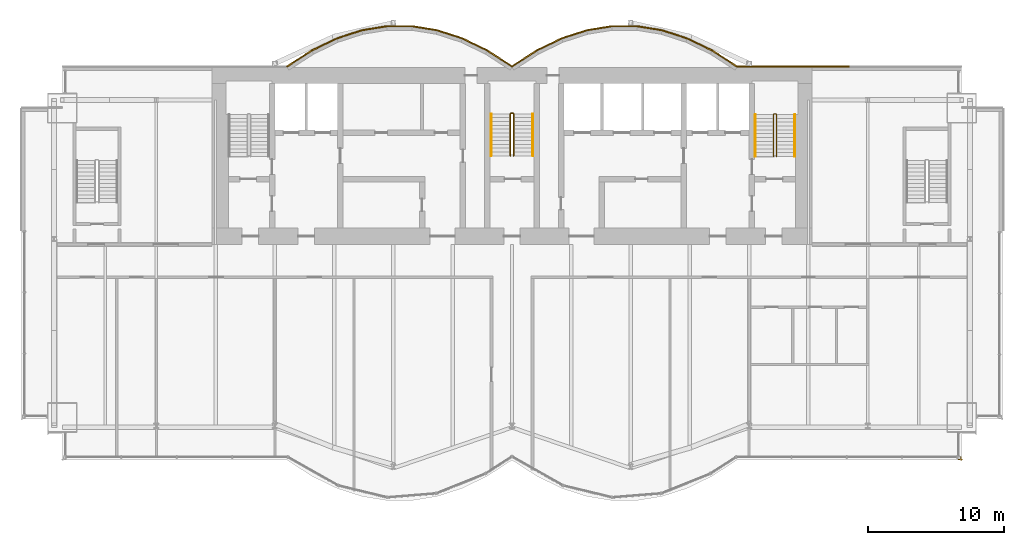
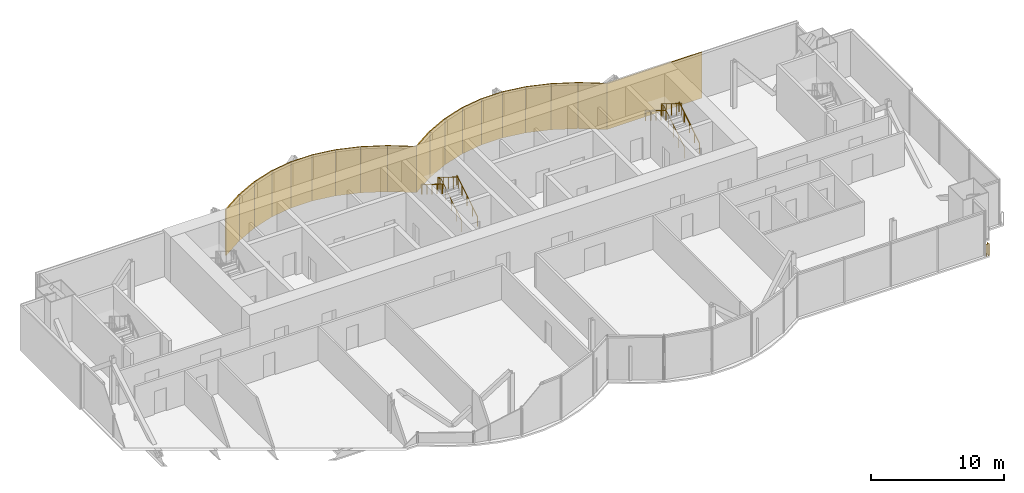
# One storey, part 18 of 19: 19 coverings, 7 railings.
"""IFC4 building model written with IfcOpenShell, lengths in metres."""

from ifc_helpers import new_model, si_unit, direction, frame, origin, origin_2d, place, context, subcontext, project, spatial, rectangle, circle, extrude, material, layer, layer_set, type_object, element, save


model = new_model("IFC4")

# Units and contexts
model_context = context("Model", 3, precision=1e-05, world=origin(), true_north=direction((0.0, 1.0)))
body_context = subcontext(model_context, "Body", "Model", "MODEL_VIEW")
ifc_project = project(units=[si_unit("LENGTHUNIT", "METRE"), si_unit("AREAUNIT", "SQUARE_METRE"), si_unit("VOLUMEUNIT", "CUBIC_METRE"), si_unit("PLANEANGLEUNIT", "RADIAN"), si_unit("MASSUNIT", "GRAM", prefix="KILO")], contexts=[model_context])

# Site, building, storey
site_placement = place(None, origin())
site = spatial("IfcSite", under=ifc_project, at=site_placement, CompositionType="ELEMENT")
building_placement = place(site_placement, origin())
building = spatial("IfcBuilding", under=site, at=building_placement, Name="Bicima Exchange Tower", CompositionType="ELEMENT")
storey_placement = place(building_placement, frame((0.0, 0.0, 266.60009765625)))
storey = spatial("IfcBuildingStorey", under=building, at=storey_placement, Name="L60", CompositionType="ELEMENT", Elevation=266.60009765625)

# Coverings
ifc_material_1 = material(Name="Bronze metal cladding")
ifc_layer_1 = layer(ifc_material_1, 0.004)
ifc_material_2 = material(Name="Ventilated cavity")
ifc_layer_2 = layer(ifc_material_2, 0.06)
ifc_material_3 = material(Name="Galvanised steel rail and mineral wool", Category="steel")
ifc_layer_3 = layer(ifc_material_3, 0.036)
ifc_layer_set = layer_set([ifc_layer_1, ifc_layer_2, ifc_layer_3], Name="Ventilated cavity")
covering_type = type_object("IfcCoveringType", Name="Bronze metal cladding panel 100", PredefinedType="CLADDING", material=ifc_layer_set)
covering_1_placement = place(storey_placement, frame((20.625, 0.050048828125, -0.14990234375), z_axis=(0.0, 0.0, 1.0), x_axis=(-1.0, 0.0, 0.0)))
element("IfcCovering", 1, at=covering_1_placement, inside=storey, type_object=covering_type, Name="Bronze cladding L60 1.2", PredefinedType="CLADDING", context=body_context, shape_type="SweptSolid", body=[
    extrude(rectangle(XDim=8.25, YDim=0.10009765625, at=origin_2d()), origin(), (0.0, 0.0, 1.0), 4.199951171875),
])
covering_2_placement = place(storey_placement, frame((15.610595703125, 0.634521484375, -0.14990234375), z_axis=(0.0, 0.0, 1.0), x_axis=(-0.839790466384, 0.542910648791, 0.0)))
element("IfcCovering", 2, at=covering_2_placement, inside=storey, type_object=covering_type, Name="Bronze cladding L60 2.1", PredefinedType="CLADDING", context=body_context, shape_type="SweptSolid", body=[
    extrude(rectangle(XDim=2.18310546875, YDim=0.10009765625, at=origin_2d()), origin(), (0.0, 0.0, 1.0), 4.199951171875),
])
covering_3_placement = place(storey_placement, frame((13.771728515625, 1.674560546875, -0.14990234375), z_axis=(0.0, 0.0, 1.0), x_axis=(-0.899818346812, 0.436264762204, 0.0)))
element("IfcCovering", 3, at=covering_3_placement, inside=storey, type_object=covering_type, Name="Bronze cladding L60 3.1", PredefinedType="CLADDING", context=body_context, shape_type="SweptSolid", body=[
    extrude(rectangle(XDim=2.03759765625, YDim=0.10009765625, at=origin_2d()), origin(), (0.0, 0.0, 1.0), 4.199951171875),
])
covering_4_placement = place(storey_placement, frame((11.931884765625, 2.41796875, -0.14990234375), z_axis=(0.0, 0.0, 1.0), x_axis=(-0.951524642381, 0.307572519808, 0.0)))
element("IfcCovering", 4, at=covering_4_placement, inside=storey, type_object=covering_type, Name="Bronze cladding L60 4.1", PredefinedType="CLADDING", context=body_context, shape_type="SweptSolid", body=[
    extrude(rectangle(XDim=1.9267578125, YDim=0.10009765625, at=origin_2d()), origin(), (0.0, 0.0, 1.0), 4.199951171875),
])
covering_5_placement = place(storey_placement, frame((10.09130859375, 2.8642578125, -0.14990234375), z_axis=(0.0, 0.0, 1.0), x_axis=(-0.987189786347, 0.159550386184, 0.0)))
element("IfcCovering", 5, at=covering_5_placement, inside=storey, type_object=covering_type, Name="Bronze cladding L60 5.1", PredefinedType="CLADDING", context=body_context, shape_type="SweptSolid", body=[
    extrude(rectangle(XDim=1.857177734375, YDim=0.10009765625, at=origin_2d()), origin(), (0.0, 0.0, 1.0), 4.199951171875),
])
covering_6_placement = place(storey_placement, frame((8.25, 3.012939453125, -0.14990234375), z_axis=(0.0, 0.0, 1.0), x_axis=(-1.0, 0.0, 0.0)))
element("IfcCovering", 6, at=covering_6_placement, inside=storey, type_object=covering_type, Name="Bronze cladding L60 6.1", PredefinedType="CLADDING", context=body_context, shape_type="SweptSolid", body=[
    extrude(rectangle(XDim=1.83349609375, YDim=0.10009765625, at=origin_2d()), origin(), (0.0, 0.0, 1.0), 4.199951171875),
])
covering_7_placement = place(storey_placement, frame((6.40869140625, 2.8642578125, -0.14990234375), z_axis=(0.0, 0.0, 1.0), x_axis=(-0.987189786347, -0.159550386184, 0.0)))
element("IfcCovering", 7, at=covering_7_placement, inside=storey, type_object=covering_type, Name="Bronze cladding L60 7.1", PredefinedType="CLADDING", context=body_context, shape_type="SweptSolid", body=[
    extrude(rectangle(XDim=1.857177734375, YDim=0.10009765625, at=origin_2d()), origin(), (0.0, 0.0, 1.0), 4.199951171875),
])
covering_8_placement = place(storey_placement, frame((4.568115234375, 2.41796875, -0.14990234375), z_axis=(0.0, 0.0, 1.0), x_axis=(-0.951524642381, -0.307572519808, 0.0)))
element("IfcCovering", 8, at=covering_8_placement, inside=storey, type_object=covering_type, Name="Bronze cladding L60 8.1", PredefinedType="CLADDING", context=body_context, shape_type="SweptSolid", body=[
    extrude(rectangle(XDim=1.9267578125, YDim=0.10009765625, at=origin_2d()), origin(), (0.0, 0.0, 1.0), 4.199951171875),
])
covering_9_placement = place(storey_placement, frame((2.728271484375, 1.674560546875, -0.14990234375), z_axis=(0.0, 0.0, 1.0), x_axis=(-0.899818346812, -0.436264762204, 0.0)))
element("IfcCovering", 9, at=covering_9_placement, inside=storey, type_object=covering_type, Name="Bronze cladding L60 9.1", PredefinedType="CLADDING", context=body_context, shape_type="SweptSolid", body=[
    extrude(rectangle(XDim=2.03759765625, YDim=0.10009765625, at=origin_2d()), origin(), (0.0, 0.0, 1.0), 4.199951171875),
])
for number, where, z_axis, x_axis, name in (
    (10, (0.889404296875, 0.634521484375, -0.14990234375), (0.0, 0.0, 1.0), (-0.839790466384, -0.542910648791, 0.0), "Bronze cladding L60 10.1"),
    (11, (-0.889404296875, 0.634521484375, -0.14990234375), (0.0, 0.0, 1.0), (-0.839790466384, 0.542910648791, 0.0), "Bronze cladding L60 11.1"),
):
    element("IfcCovering", number, at=place(storey_placement, frame(where, z_axis=z_axis, x_axis=x_axis)), inside=storey, type_object=covering_type, Name=name, PredefinedType="CLADDING", context=body_context, shape_type="SweptSolid", body=[
        extrude(rectangle(XDim=2.18310546875, YDim=0.10009765625, at=origin_2d()), origin(), (0.0, 0.0, 1.0), 4.199951171875),
    ])
covering_10_placement = place(storey_placement, frame((-2.728271484375, 1.674560546875, -0.14990234375), z_axis=(0.0, 0.0, 1.0), x_axis=(-0.899818346812, 0.436264762204, 0.0)))
element("IfcCovering", 12, at=covering_10_placement, inside=storey, type_object=covering_type, Name="Bronze cladding L60 12.1", PredefinedType="CLADDING", context=body_context, shape_type="SweptSolid", body=[
    extrude(rectangle(XDim=2.03759765625, YDim=0.10009765625, at=origin_2d()), origin(), (0.0, 0.0, 1.0), 4.199951171875),
])
covering_11_placement = place(storey_placement, frame((-4.568115234375, 2.41796875, -0.14990234375), z_axis=(0.0, 0.0, 1.0), x_axis=(-0.951524642381, 0.307572519808, 0.0)))
element("IfcCovering", 13, at=covering_11_placement, inside=storey, type_object=covering_type, Name="Bronze cladding L60 13.1", PredefinedType="CLADDING", context=body_context, shape_type="SweptSolid", body=[
    extrude(rectangle(XDim=1.9267578125, YDim=0.10009765625, at=origin_2d()), origin(), (0.0, 0.0, 1.0), 4.199951171875),
])
covering_12_placement = place(storey_placement, frame((-6.40869140625, 2.8642578125, -0.14990234375), z_axis=(0.0, 0.0, 1.0), x_axis=(-0.987189786347, 0.159550386184, 0.0)))
element("IfcCovering", 14, at=covering_12_placement, inside=storey, type_object=covering_type, Name="Bronze cladding L60 14.1", PredefinedType="CLADDING", context=body_context, shape_type="SweptSolid", body=[
    extrude(rectangle(XDim=1.857177734375, YDim=0.10009765625, at=origin_2d()), origin(), (0.0, 0.0, 1.0), 4.199951171875),
])
covering_13_placement = place(storey_placement, frame((-8.25, 3.012939453125, -0.14990234375), z_axis=(0.0, 0.0, 1.0), x_axis=(-1.0, 0.0, 0.0)))
element("IfcCovering", 15, at=covering_13_placement, inside=storey, type_object=covering_type, Name="Bronze cladding L60 15.1", PredefinedType="CLADDING", context=body_context, shape_type="SweptSolid", body=[
    extrude(rectangle(XDim=1.83349609375, YDim=0.10009765625, at=origin_2d()), origin(), (0.0, 0.0, 1.0), 4.199951171875),
])
covering_14_placement = place(storey_placement, frame((-10.09130859375, 2.8642578125, -0.14990234375), z_axis=(0.0, 0.0, 1.0), x_axis=(-0.987189786347, -0.159550386184, 0.0)))
element("IfcCovering", 16, at=covering_14_placement, inside=storey, type_object=covering_type, Name="Bronze cladding L60 16.1", PredefinedType="CLADDING", context=body_context, shape_type="SweptSolid", body=[
    extrude(rectangle(XDim=1.857177734375, YDim=0.10009765625, at=origin_2d()), origin(), (0.0, 0.0, 1.0), 4.199951171875),
])
covering_15_placement = place(storey_placement, frame((-11.931884765625, 2.41796875, -0.14990234375), z_axis=(0.0, 0.0, 1.0), x_axis=(-0.951524642381, -0.307572519808, 0.0)))
element("IfcCovering", 17, at=covering_15_placement, inside=storey, type_object=covering_type, Name="Bronze cladding L60 17.1", PredefinedType="CLADDING", context=body_context, shape_type="SweptSolid", body=[
    extrude(rectangle(XDim=1.9267578125, YDim=0.10009765625, at=origin_2d()), origin(), (0.0, 0.0, 1.0), 4.199951171875),
])
covering_16_placement = place(storey_placement, frame((-13.771728515625, 1.674560546875, -0.14990234375), z_axis=(0.0, 0.0, 1.0), x_axis=(-0.899818346812, -0.436264762204, 0.0)))
element("IfcCovering", 18, at=covering_16_placement, inside=storey, type_object=covering_type, Name="Bronze cladding L60 18.1", PredefinedType="CLADDING", context=body_context, shape_type="SweptSolid", body=[
    extrude(rectangle(XDim=2.03759765625, YDim=0.10009765625, at=origin_2d()), origin(), (0.0, 0.0, 1.0), 4.199951171875),
])
covering_17_placement = place(storey_placement, frame((-15.610595703125, 0.634521484375, -0.14990234375), z_axis=(0.0, 0.0, 1.0), x_axis=(-0.839790466384, -0.542910648791, 0.0)))
element("IfcCovering", 19, at=covering_17_placement, inside=storey, type_object=covering_type, Name="Bronze cladding L60 19.1", PredefinedType="CLADDING", context=body_context, shape_type="SweptSolid", body=[
    extrude(rectangle(XDim=2.18310546875, YDim=0.10009765625, at=origin_2d()), origin(), (0.0, 0.0, 1.0), 4.199951171875),
])

# Railings
ifc_material_4 = material(Name="Stainless steel and bonded safety glass", Category="steel")
railing_type_1 = type_object("IfcRailingType", Name="Edge guard 1100", PredefinedType="GUARDRAIL", material=ifc_material_4)
railing_1_placement = place(storey_placement, frame((32.949951171875, -28.5869140625, 0.0)))
element("IfcRailing", 20, at=railing_1_placement, inside=storey, type_object=railing_type_1, Name="Edge guard L60 310", PredefinedType="GUARDRAIL", context=body_context, shape_type="SweptSolid", body=[
    extrude(circle(Radius=0.02392578125, at=origin_2d()), frame((0.0, 0.0, 1.076171875), z_axis=(0.0, -1.0, 0.0), x_axis=(1.0, 0.0, 0.0)), (0.0, 0.0, 1.0), 0.237060546875),
    extrude(circle(Radius=0.02392578125, at=origin_2d()), frame((0.0, -0.237060546875, 1.076171875), z_axis=(0.707106781187, 0.707106781187, 0.0), x_axis=(-0.707106781187, 0.707106781187, 0.0)), (0.0, 0.0, 1.0), 0.07080078125),
    extrude(circle(Radius=0.02392578125, at=origin_2d()), frame((0.050048828125, -0.18701171875, 1.076171875), z_axis=(-1.0, 0.0, 0.0), x_axis=(0.0, -1.0, 0.0)), (0.0, 0.0, 1.0), 0.25),
    extrude(circle(Radius=0.02099609375, at=origin_2d()), origin(), (0.0, 0.0, 1.0), 1.052001953125),
    extrude(circle(Radius=0.02099609375, at=origin_2d()), frame((0.0, -0.237060546875, 0.0)), (0.0, 0.0, 1.0), 1.052001953125),
    extrude(circle(Radius=0.02099609375, at=origin_2d()), frame((0.050048828125, -0.18701171875, 0.0)), (0.0, 0.0, 1.0), 1.052001953125),
    extrude(circle(Radius=0.02099609375, at=origin_2d()), frame((-0.199951171875, -0.18701171875, 0.0)), (0.0, 0.0, 1.0), 1.052001953125),
])
ifc_material_5 = material(Name="Stainless steel", Category="steel")
railing_type_2 = type_object("IfcRailingType", Name="Stair guard 1100", PredefinedType="GUARDRAIL", material=ifc_material_5)
railing_2_placement = place(storey_placement, frame((0.125, -6.5, 0.1748046875)))
element("IfcRailing", 21, at=railing_2_placement, inside=storey, type_object=railing_type_2, Name="L60 ST-C stair guard 1", PredefinedType="GUARDRAIL", context=body_context, shape_type="SweptSolid", body=[
    extrude(circle(Radius=0.02392578125, at=origin_2d()), frame((0.0, 0.0, 1.076171875), z_axis=(0.0, 0.847998304005, 0.529998940003), x_axis=(-1.0, 0.0, 0.0)), (0.0, 0.0, 1.0), 3.632080078125),
    extrude(circle(Radius=0.02392578125, at=origin_2d()), frame((0.0, 3.080078125, 3.0009765625), z_axis=(-0.708833529934, 0.705375805398, 0.0), x_axis=(-0.705375805398, -0.708833529934, 0.0)), (0.0, 0.0, 1.0), 0.070556640625),
    extrude(circle(Radius=0.02392578125, at=origin_2d()), frame((-0.050048828125, 3.1298828125, 3.0009765625), z_axis=(-1.0, 0.0, 0.0), x_axis=(0.0, -1.0, 0.0)), (0.0, 0.0, 1.0), 0.14990234375),
    extrude(circle(Radius=0.02392578125, at=origin_2d()), frame((-0.199951171875, 3.1298828125, 3.0009765625), z_axis=(-0.265155923931, -0.263862480399, 0.927399011991), x_axis=(0.705375805398, -0.708833529934, 0.0)), (0.0, 0.0, 1.0), 0.188720703125),
    extrude(circle(Radius=0.02392578125, at=origin_2d()), frame((-0.25, 3.080078125, 3.17626953125), z_axis=(0.0, -0.847998304005, 0.529998940003), x_axis=(1.0, 0.0, 0.0)), (0.0, 0.0, 1.0), 3.632080078125),
    extrude(circle(Radius=0.02099609375, at=origin_2d()), origin(), (0.0, 0.0, 1.0), 1.052001953125),
    extrude(circle(Radius=0.02099609375, at=origin_2d()), frame((0.0, 0.77001953125, 0.481201171875)), (0.0, 0.0, 1.0), 1.052001953125),
    extrude(circle(Radius=0.02099609375, at=origin_2d()), frame((0.0, 1.5400390625, 0.96240234375)), (0.0, 0.0, 1.0), 1.052001953125),
    extrude(circle(Radius=0.02099609375, at=origin_2d()), frame((0.0, 2.31005859375, 1.44384765625)), (0.0, 0.0, 1.0), 1.052001953125),
    extrude(circle(Radius=0.02099609375, at=origin_2d()), frame((0.0, 3.080078125, 1.925048828125)), (0.0, 0.0, 1.0), 1.052001953125),
    extrude(circle(Radius=0.02099609375, at=origin_2d()), frame((-0.050048828125, 3.1298828125, 1.925048828125)), (0.0, 0.0, 1.0), 1.052001953125),
    extrude(circle(Radius=0.02099609375, at=origin_2d()), frame((-0.199951171875, 3.1298828125, 1.925048828125)), (0.0, 0.0, 1.0), 1.052001953125),
    extrude(circle(Radius=0.02099609375, at=origin_2d()), frame((-0.25, 3.080078125, 2.10009765625)), (0.0, 0.0, 1.0), 1.052001953125),
    extrude(circle(Radius=0.02099609375, at=origin_2d()), frame((-0.25, 2.31005859375, 2.581298828125)), (0.0, 0.0, 1.0), 1.052001953125),
    extrude(circle(Radius=0.02099609375, at=origin_2d()), frame((-0.25, 1.5400390625, 3.0625)), (0.0, 0.0, 1.0), 1.052001953125),
    extrude(circle(Radius=0.02099609375, at=origin_2d()), frame((-0.25, 0.77001953125, 3.5439453125)), (0.0, 0.0, 1.0), 1.052001953125),
    extrude(circle(Radius=0.02099609375, at=origin_2d()), frame((-0.25, 0.0, 4.025146484375)), (0.0, 0.0, 1.0), 1.052001953125),
])
railing_3_placement = place(storey_placement, frame((19.39990234375, -6.550048828125, 0.1748046875)))
element("IfcRailing", 22, at=railing_3_placement, inside=storey, type_object=railing_type_2, Name="L60 ST-E stair guard 1", PredefinedType="GUARDRAIL", context=body_context, shape_type="SweptSolid", body=[
    extrude(circle(Radius=0.02392578125, at=origin_2d()), frame((0.0, 0.0, 1.076171875), z_axis=(0.0, 0.847998304005, 0.529998940003), x_axis=(-1.0, 0.0, 0.0)), (0.0, 0.0, 1.0), 3.632080078125),
    extrude(circle(Radius=0.02392578125, at=origin_2d()), frame((0.0, 3.080078125, 3.0009765625), z_axis=(-0.705375805398, 0.708833529934, 0.0), x_axis=(-0.708833529934, -0.705375805398, 0.0)), (0.0, 0.0, 1.0), 0.070556640625),
    extrude(circle(Radius=0.02392578125, at=origin_2d()), frame((-0.0498046875, 3.130126953125, 3.0009765625), z_axis=(-1.0, 0.0, 0.0), x_axis=(0.0, -1.0, 0.0)), (0.0, 0.0, 1.0), 0.10009765625),
    extrude(circle(Radius=0.02392578125, at=origin_2d()), frame((-0.14990234375, 3.130126953125, 3.0009765625), z_axis=(-0.265065253269, -0.265065253269, 0.927081885822), x_axis=(0.707106781187, -0.707106781187, 0.0)), (0.0, 0.0, 1.0), 0.188720703125),
    extrude(circle(Radius=0.02392578125, at=origin_2d()), frame((-0.199951171875, 3.080078125, 3.17626953125), z_axis=(0.0, -0.847998304005, 0.529998940003), x_axis=(1.0, 0.0, 0.0)), (0.0, 0.0, 1.0), 3.632080078125),
    extrude(circle(Radius=0.02099609375, at=origin_2d()), origin(), (0.0, 0.0, 1.0), 1.052001953125),
    extrude(circle(Radius=0.02099609375, at=origin_2d()), frame((0.0, 0.77001953125, 0.481201171875)), (0.0, 0.0, 1.0), 1.052001953125),
    extrude(circle(Radius=0.02099609375, at=origin_2d()), frame((0.0, 1.5400390625, 0.96240234375)), (0.0, 0.0, 1.0), 1.052001953125),
    extrude(circle(Radius=0.02099609375, at=origin_2d()), frame((0.0, 2.31005859375, 1.44384765625)), (0.0, 0.0, 1.0), 1.052001953125),
    extrude(circle(Radius=0.02099609375, at=origin_2d()), frame((0.0, 3.080078125, 1.925048828125)), (0.0, 0.0, 1.0), 1.052001953125),
    extrude(circle(Radius=0.02099609375, at=origin_2d()), frame((-0.0498046875, 3.130126953125, 1.925048828125)), (0.0, 0.0, 1.0), 1.052001953125),
    extrude(circle(Radius=0.02099609375, at=origin_2d()), frame((-0.14990234375, 3.130126953125, 1.925048828125)), (0.0, 0.0, 1.0), 1.052001953125),
    extrude(circle(Radius=0.02099609375, at=origin_2d()), frame((-0.199951171875, 3.080078125, 2.10009765625)), (0.0, 0.0, 1.0), 1.052001953125),
    extrude(circle(Radius=0.02099609375, at=origin_2d()), frame((-0.199951171875, 2.31005859375, 2.581298828125)), (0.0, 0.0, 1.0), 1.052001953125),
    extrude(circle(Radius=0.02099609375, at=origin_2d()), frame((-0.199951171875, 1.5400390625, 3.0625)), (0.0, 0.0, 1.0), 1.052001953125),
    extrude(circle(Radius=0.02099609375, at=origin_2d()), frame((-0.199951171875, 0.77001953125, 3.5439453125)), (0.0, 0.0, 1.0), 1.052001953125),
    extrude(circle(Radius=0.02099609375, at=origin_2d()), frame((-0.199951171875, 0.0, 4.025146484375)), (0.0, 0.0, 1.0), 1.052001953125),
])
railing_type_3 = type_object("IfcRailingType", Name="Stair handrail 900", PredefinedType="HANDRAIL", material=ifc_material_5)
railing_4_placement = place(storey_placement, frame((1.52490234375, -6.5, 0.1748046875)))
element("IfcRailing", 23, at=railing_4_placement, inside=storey, type_object=railing_type_3, Name="L60 ST-C stair handrail 1", PredefinedType="HANDRAIL", context=body_context, shape_type="SweptSolid", body=[
    extrude(circle(Radius=0.02392578125, at=origin_2d()), frame((0.0, 0.0, 0.8759765625), z_axis=(0.0, 0.847998304005, 0.529998940003), x_axis=(-1.0, 0.0, 0.0)), (0.0, 0.0, 1.0), 3.632080078125),
    extrude(circle(Radius=0.02099609375, at=origin_2d()), origin(), (0.0, 0.0, 1.0), 0.851806640625),
    extrude(circle(Radius=0.02099609375, at=origin_2d()), frame((0.0, 0.77001953125, 0.481201171875)), (0.0, 0.0, 1.0), 0.851806640625),
    extrude(circle(Radius=0.02099609375, at=origin_2d()), frame((0.0, 1.5400390625, 0.96240234375)), (0.0, 0.0, 1.0), 0.851806640625),
    extrude(circle(Radius=0.02099609375, at=origin_2d()), frame((0.0, 2.31005859375, 1.44384765625)), (0.0, 0.0, 1.0), 0.851806640625),
    extrude(circle(Radius=0.02099609375, at=origin_2d()), frame((0.0, 3.080078125, 1.925048828125)), (0.0, 0.0, 1.0), 0.851806640625),
])
railing_5_placement = place(storey_placement, frame((-1.52490234375, -3.419921875, 2.303955078125)))
element("IfcRailing", 24, at=railing_5_placement, inside=storey, type_object=railing_type_3, Name="L60 ST-C stair handrail 2", PredefinedType="HANDRAIL", context=body_context, shape_type="SweptSolid", body=[
    extrude(circle(Radius=0.02392578125, at=origin_2d()), frame((0.0, 0.0, 0.8759765625), z_axis=(0.0, -0.847998304005, 0.529998940003), x_axis=(1.0, 0.0, 0.0)), (0.0, 0.0, 1.0), 3.632080078125),
    extrude(circle(Radius=0.02099609375, at=origin_2d()), origin(), (0.0, 0.0, 1.0), 0.851806640625),
    extrude(circle(Radius=0.02099609375, at=origin_2d()), frame((0.0, -0.77001953125, 0.481201171875)), (0.0, 0.0, 1.0), 0.851806640625),
    extrude(circle(Radius=0.02099609375, at=origin_2d()), frame((0.0, -1.5400390625, 0.96240234375)), (0.0, 0.0, 1.0), 0.851806640625),
    extrude(circle(Radius=0.02099609375, at=origin_2d()), frame((0.0, -2.31005859375, 1.44384765625)), (0.0, 0.0, 1.0), 0.851806640625),
    extrude(circle(Radius=0.02099609375, at=origin_2d()), frame((0.0, -3.080078125, 1.925048828125)), (0.0, 0.0, 1.0), 0.851806640625),
])
railing_6_placement = place(storey_placement, frame((20.75, -6.550048828125, 0.1748046875)))
element("IfcRailing", 25, at=railing_6_placement, inside=storey, type_object=railing_type_3, Name="L60 ST-E stair handrail 1", PredefinedType="HANDRAIL", context=body_context, shape_type="SweptSolid", body=[
    extrude(circle(Radius=0.02392578125, at=origin_2d()), frame((0.0, 0.0, 0.8759765625), z_axis=(0.0, 0.847998304005, 0.529998940003), x_axis=(-1.0, 0.0, 0.0)), (0.0, 0.0, 1.0), 3.632080078125),
    extrude(circle(Radius=0.02099609375, at=origin_2d()), origin(), (0.0, 0.0, 1.0), 0.851806640625),
    extrude(circle(Radius=0.02099609375, at=origin_2d()), frame((0.0, 0.77001953125, 0.481201171875)), (0.0, 0.0, 1.0), 0.851806640625),
    extrude(circle(Radius=0.02099609375, at=origin_2d()), frame((0.0, 1.5400390625, 0.96240234375)), (0.0, 0.0, 1.0), 0.851806640625),
    extrude(circle(Radius=0.02099609375, at=origin_2d()), frame((0.0, 2.31005859375, 1.44384765625)), (0.0, 0.0, 1.0), 0.851806640625),
    extrude(circle(Radius=0.02099609375, at=origin_2d()), frame((0.0, 3.080078125, 1.925048828125)), (0.0, 0.0, 1.0), 0.851806640625),
])
railing_7_placement = place(storey_placement, frame((17.85009765625, -3.469970703125, 2.303955078125)))
element("IfcRailing", 26, at=railing_7_placement, inside=storey, type_object=railing_type_3, Name="L60 ST-E stair handrail 2", PredefinedType="HANDRAIL", context=body_context, shape_type="SweptSolid", body=[
    extrude(circle(Radius=0.02392578125, at=origin_2d()), frame((0.0, 0.0, 0.8759765625), z_axis=(0.0, -0.847998304005, 0.529998940003), x_axis=(1.0, 0.0, 0.0)), (0.0, 0.0, 1.0), 3.632080078125),
    extrude(circle(Radius=0.02099609375, at=origin_2d()), origin(), (0.0, 0.0, 1.0), 0.851806640625),
    extrude(circle(Radius=0.02099609375, at=origin_2d()), frame((0.0, -0.77001953125, 0.481201171875)), (0.0, 0.0, 1.0), 0.851806640625),
    extrude(circle(Radius=0.02099609375, at=origin_2d()), frame((0.0, -1.5400390625, 0.96240234375)), (0.0, 0.0, 1.0), 0.851806640625),
    extrude(circle(Radius=0.02099609375, at=origin_2d()), frame((0.0, -2.31005859375, 1.44384765625)), (0.0, 0.0, 1.0), 0.851806640625),
    extrude(circle(Radius=0.02099609375, at=origin_2d()), frame((0.0, -3.080078125, 1.925048828125)), (0.0, 0.0, 1.0), 0.851806640625),
])

save(model, "model.ifc")
